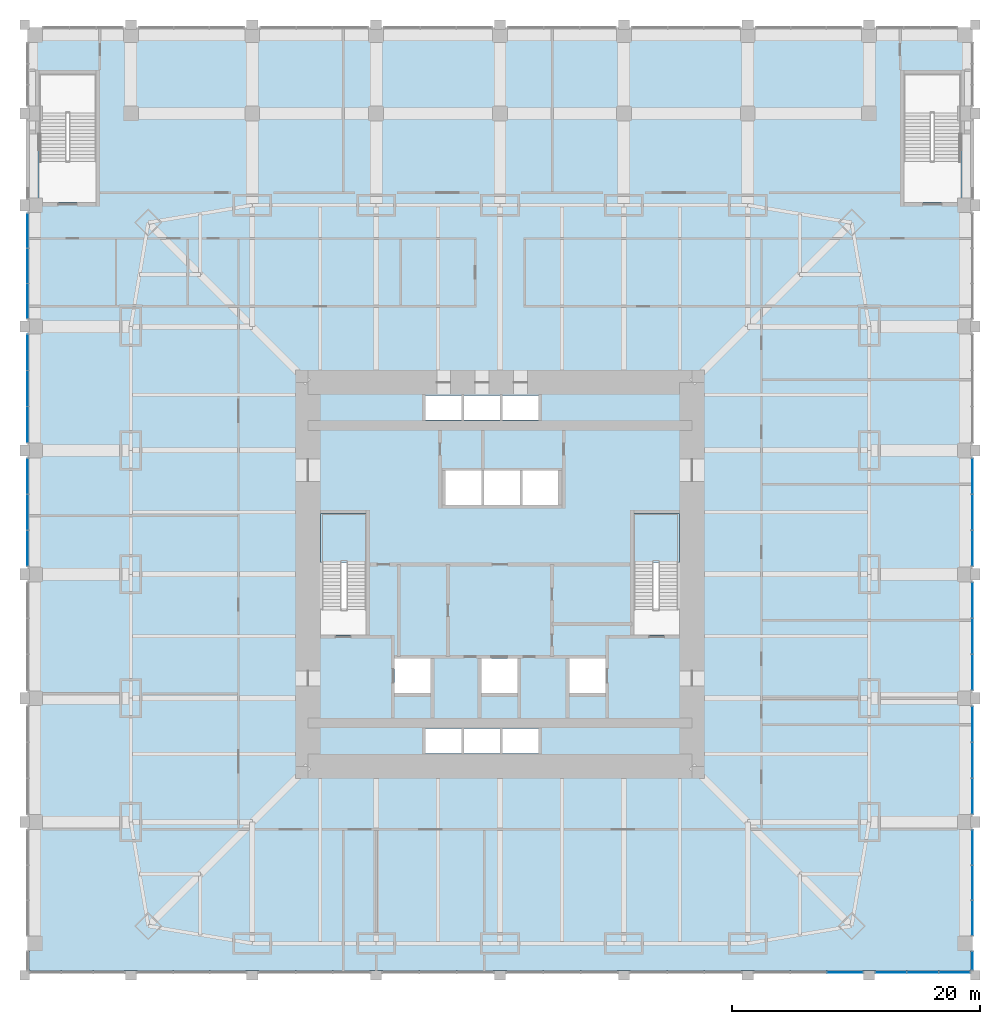
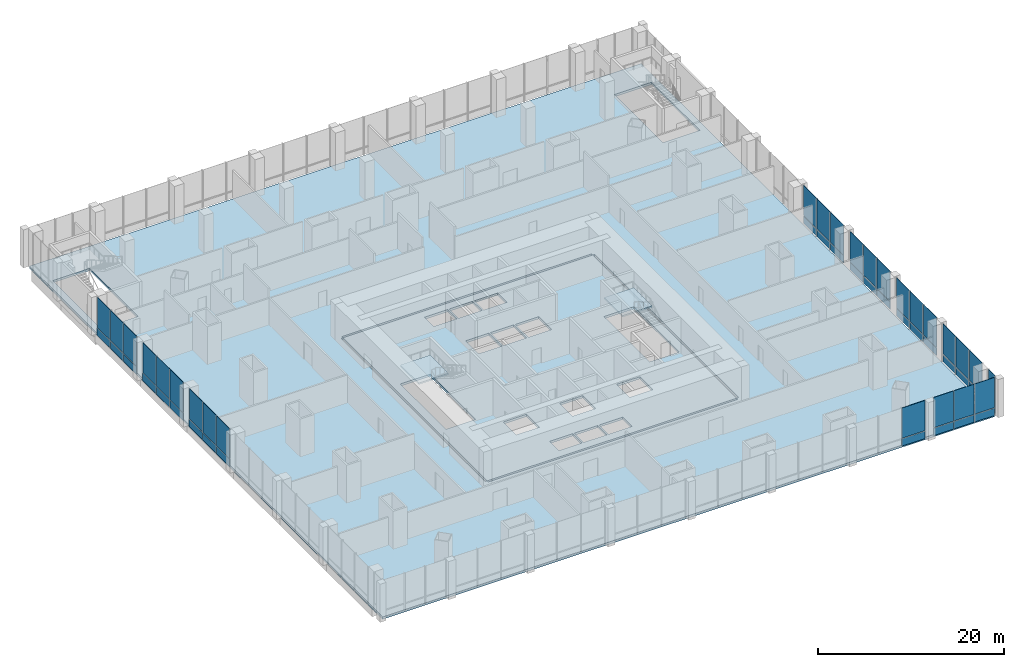
# One storey, part 14 of 24: 52 plates, 4 slabs, 12 elements without a shape of their own.
"""IFC4 building model written with IfcOpenShell, lengths in metres."""

import ifcopenshell
import ifcopenshell.guid

model = None  # the IFC model being written
_history = None  # IfcOwnerHistory: only IFC2X3 demands one
_inside = {}  # id of a spatial element -> (the spatial element, [elements in it])
_under = {}  # id of a project, library or spatial element -> (it, [spatial elements below it])
_declared = {}  # id of a project -> (the project, [libraries it declares])
_typed = {}  # id of a type object -> (the type object, [elements of that type])
_made_of = {}  # id of a material, layer set ... -> (it, [elements and type objects made of it])


def new_model(schema):
    """Start an empty IFC model of exactly this schema.

    Asked for "IFC4X3", IfcOpenShell would pick the latest addendum, in which some entities
    have other attributes; the version numbers below select the first issue.
    IFC2X3 requires an IfcOwnerHistory on every rooted entity: one is made here for all.
    """
    global model, _history
    if schema == "IFC4X3":
        model = ifcopenshell.file(schema_version=(4, 3, 0, 0))
    else:
        model = ifcopenshell.file(schema=schema)
    _inside.clear()
    _under.clear()
    _declared.clear()
    _typed.clear()
    _made_of.clear()
    _history = None
    if model.schema == "IFC2X3":
        org = make("IfcOrganization", Name="unknown")
        user = make(
            "IfcPersonAndOrganization",
            ThePerson=make("IfcPerson", FamilyName="unknown"),
            TheOrganization=org,
        )
        app = make(
            "IfcApplication",
            ApplicationDeveloper=org,
            Version="unknown",
            ApplicationFullName="unknown",
            ApplicationIdentifier="unknown",
        )
        _history = make(
            "IfcOwnerHistory",
            OwningUser=user,
            OwningApplication=app,
            ChangeAction="ADDED",
            CreationDate=0,
        )
    return model


def make(cls, **values):
    """One entity of the class cls with the attributes given. An attribute that is None is left unset."""
    return model.create_entity(
        cls, **{name: value for name, value in values.items() if value is not None}
    )


def rooted(cls, **values):
    """An entity with a GlobalId (a new one), such as an element, a storey or a relation."""
    return make(cls, GlobalId=ifcopenshell.guid.new(), OwnerHistory=_history, **values)


def si_unit(unit_type, name, prefix=None):
    """IfcSIUnit, for example si_unit("LENGTHUNIT", "METRE", prefix="MILLI")."""
    return make("IfcSIUnit", UnitType=unit_type, Prefix=prefix, Name=name)


def assignment(units):
    """IfcUnitAssignment: the units of a project."""
    return None if units is None else make("IfcUnitAssignment", Units=units)


def point(xyz):
    """IfcCartesianPoint."""
    return None if xyz is None else make("IfcCartesianPoint", Coordinates=xyz)


def direction(xyz):
    """IfcDirection."""
    return None if xyz is None else make("IfcDirection", DirectionRatios=xyz)


def frame(location, z_axis=None, x_axis=None):
    """IfcAxis2Placement3D, a coordinate frame: its origin and axes. An axis left out is left unset."""
    return make(
        "IfcAxis2Placement3D",
        Location=point(location),
        Axis=direction(z_axis),
        RefDirection=direction(x_axis),
    )


def frame_2d(location, x_axis=None):
    """IfcAxis2Placement2D, a coordinate frame in the plane: its origin and x axis."""
    return make(
        "IfcAxis2Placement2D", Location=point(location), RefDirection=direction(x_axis)
    )


def origin():
    """The frame at (0, 0, 0) with its axes left unset."""
    return frame((0.0, 0.0, 0.0))


def origin_2d():
    """The frame at (0, 0) in the plane with its x axis left unset."""
    return frame_2d((0.0, 0.0))


def place(relative_to, where):
    """IfcLocalPlacement: puts the frame where relative to a parent placement (None: the world)."""
    return make(
        "IfcLocalPlacement", PlacementRelTo=relative_to, RelativePlacement=where
    )


def context(
    kind, dimensions, precision=None, world=None, true_north=None, identifier=None
):
    """IfcGeometricRepresentationContext, for example the 3D "Model" context."""
    return make(
        "IfcGeometricRepresentationContext",
        ContextIdentifier=identifier,
        ContextType=kind,
        CoordinateSpaceDimension=dimensions,
        Precision=precision,
        WorldCoordinateSystem=world,
        TrueNorth=true_north,
    )


def subcontext(parent, identifier, kind, view, scale=None):
    """IfcGeometricRepresentationSubContext, for example "Body" below "Model"."""
    return make(
        "IfcGeometricRepresentationSubContext",
        ContextIdentifier=identifier,
        ContextType=kind,
        ParentContext=parent,
        TargetScale=scale,
        TargetView=view,
    )


def project(units=None, contexts=None):
    """IfcProject with its units and contexts."""
    return rooted(
        "IfcProject",
        Name="project",
        RepresentationContexts=contexts,
        UnitsInContext=assignment(units),
    )


def spatial(cls, under=None, at=None, **own):
    """A site, building, storey or space (cls), placed at a placement, below another one or the project."""
    s = rooted(cls, ObjectPlacement=at, **own)
    if under is not None:
        _under.setdefault(under.id(), (under, []))[1].append(s)
    return s


def polyline(points):
    """IfcPolyline through the points."""
    return make("IfcPolyline", Points=[point(p) for p in points])


def profile(cls, at=None, kind="AREA", **sizes):
    """A parametric profile (cls). Its sizes go by their IFC names, for example OverallWidth=200.0."""
    return make(cls, ProfileType=kind, Position=at, **sizes)


def rectangle(**sizes):
    """IfcRectangleProfileDef."""
    return profile("IfcRectangleProfileDef", **sizes)


def outline(outer, holes=None, kind="AREA"):
    """IfcArbitraryClosedProfileDef: a profile drawn as a closed curve; with holes, ...WithVoids."""
    if holes is None:
        return make("IfcArbitraryClosedProfileDef", ProfileType=kind, OuterCurve=outer)
    return make(
        "IfcArbitraryProfileDefWithVoids",
        ProfileType=kind,
        OuterCurve=outer,
        InnerCurves=holes,
    )


def extrude(swept, where, along, depth):
    """IfcExtrudedAreaSolid: the profile swept, set in the frame where, extruded along a direction by depth."""
    return make(
        "IfcExtrudedAreaSolid",
        SweptArea=swept,
        Position=where,
        ExtrudedDirection=direction(along),
        Depth=depth,
    )


def shape(context_of_items, identifier, shape_type, items):
    """IfcShapeRepresentation: the items that make up one representation, for example the "Body"."""
    return make(
        "IfcShapeRepresentation",
        ContextOfItems=context_of_items,
        RepresentationIdentifier=identifier,
        RepresentationType=shape_type,
        Items=items,
    )


def material(Name=None, Category=None):
    """IfcMaterial."""
    return make("IfcMaterial", Name=Name, Category=Category)


def layer(
    of_material, thickness, ventilated=None, Name=None, Category=None, Priority=None
):
    """IfcMaterialLayer: one layer of a wall or slab, of a material (None: an air gap)."""
    return make(
        "IfcMaterialLayer",
        Material=of_material,
        LayerThickness=thickness,
        IsVentilated=ventilated,
        Name=Name,
        Category=Category,
        Priority=Priority,
    )


def layer_set(layers, Name=None):
    """IfcMaterialLayerSet."""
    return make("IfcMaterialLayerSet", MaterialLayers=layers, LayerSetName=Name)


def made_of(thing, what):
    """Note that an element or type object is made of a material, layer set ...; save() writes the relation."""
    if what is not None:
        _made_of.setdefault(what.id(), (what, []))[1].append(thing)
    return thing


def type_object(cls, material=None, **own):
    """A type object (cls), such as IfcWallType, which elements share."""
    return made_of(rooted(cls, **own), material)


def element(
    cls,
    number,
    at=None,
    inside=None,
    cuts=None,
    type_object=None,
    material=None,
    context=None,
    identifier="Body",
    shape_type=None,
    held_by="IfcProductDefinitionShape",
    body=None,
    shapes=None,
    **own,
):
    """One element of the class cls, such as IfcWall. Its Tag is "e" and its number.

    at: its placement. inside: the storey or other place that contains it. cuts: it is an
    opening in that element (IfcRelVoidsElement). A single representation is given by context,
    identifier, shape_type and body (its items); several are given by shapes. held_by: the class
    of the entity that holds the representations. save() writes the other relations.
    """
    e = rooted(cls, Tag="e%d" % number, ObjectPlacement=at, **own)
    if body is not None:
        shapes = [shape(context, identifier, shape_type, body)]
    if shapes is not None:
        e.Representation = make(held_by, Representations=shapes)
    if inside is not None:
        _inside.setdefault(inside.id(), (inside, []))[1].append(e)
    if cuts is not None:
        rooted(
            "IfcRelVoidsElement", RelatingBuildingElement=cuts, RelatedOpeningElement=e
        )
    if type_object is not None:
        _typed.setdefault(type_object.id(), (type_object, []))[1].append(e)
    return made_of(e, material)


def aggregate(whole, parts):
    """IfcRelAggregates: a whole, such as a stair, and the parts it consists of."""
    return rooted("IfcRelAggregates", RelatingObject=whole, RelatedObjects=parts)


def save(model, path):
    """Write the relations noted so far, then the file.

    IfcRelAggregates (storeys below a building ...), IfcRelContainedInSpatialStructure (elements
    in a storey), IfcRelDefinesByType, IfcRelAssociatesMaterial and IfcRelDeclares: one each for
    every whole, place, type object, material and project.
    """
    for whole, parts in _under.values():
        aggregate(whole, parts)
    for where, things in _inside.values():
        rooted(
            "IfcRelContainedInSpatialStructure",
            RelatedElements=things,
            RelatingStructure=where,
        )
    for kind, things in _typed.values():
        rooted("IfcRelDefinesByType", RelatedObjects=things, RelatingType=kind)
    for what, things in _made_of.values():
        rooted("IfcRelAssociatesMaterial", RelatedObjects=things, RelatingMaterial=what)
    for by, libraries in _declared.values():
        rooted("IfcRelDeclares", RelatingContext=by, RelatedDefinitions=libraries)
    model.write(path)


model = new_model("IFC4")

# Units and contexts
model_context = context("Model", 3, precision=1e-05, world=origin(), true_north=direction((0.0, 1.0)))
body_context = subcontext(model_context, "Body", "Model", "MODEL_VIEW")
ifc_project = project(units=[si_unit("LENGTHUNIT", "METRE"), si_unit("AREAUNIT", "SQUARE_METRE"), si_unit("VOLUMEUNIT", "CUBIC_METRE"), si_unit("PLANEANGLEUNIT", "RADIAN"), si_unit("MASSUNIT", "GRAM", prefix="KILO")], contexts=[model_context])

# Site, building, storey
site_placement = place(None, origin())
site = spatial("IfcSite", under=ifc_project, at=site_placement, CompositionType="ELEMENT")
building_placement = place(site_placement, origin())
building = spatial("IfcBuilding", under=site, at=building_placement, Name="Khuree Lantern Residences", CompositionType="ELEMENT")
storey_placement = place(building_placement, frame((0.0, 0.0, 6.0)))
storey = spatial("IfcBuildingStorey", under=building, at=storey_placement, Name="L01", CompositionType="ELEMENT", Elevation=6.0)

# Slabs
ifc_material_1 = material(Name="Concrete C35/45", Category="concrete")
ifc_layer_1 = layer(ifc_material_1, 0.300048828125)
ifc_layer_set_1 = layer_set([ifc_layer_1], Name="CFL300 CORE FLOOR SLAB 300")
slab_type_1 = type_object("IfcSlabType", Name="CFL300 CORE FLOOR SLAB 300", PredefinedType="FLOOR", material=ifc_layer_set_1)
slab_1_placement = place(storey_placement, frame((0.0, 0.0, -0.300048828125)))
element("IfcSlab", 1, at=slab_1_placement, inside=storey, type_object=slab_type_1, Name="Core floor L01", PredefinedType="FLOOR", context=body_context, shape_type="SweptSolid", body=[
    extrude(outline(polyline([(-15.5, -15.5), (-15.5, 15.5), (15.5, 15.5), (15.5, -15.5), (-15.5, -15.5)]), holes=[polyline([(14.5, 4.89990234375), (10.800048828125, 4.89990234375), (10.800048828125, -4.89990234375), (14.5, -4.89990234375), (14.5, 4.89990234375)]), polyline([(8.5, -6.800048828125), (5.60009765625, -6.800048828125), (5.60009765625, -9.60009765625), (8.5, -9.60009765625), (8.5, -6.800048828125)]), polyline([(4.699951171875, 8.39990234375), (1.800048828125, 8.39990234375), (1.800048828125, 5.60009765625), (4.699951171875, 5.60009765625), (4.699951171875, 8.39990234375)]), polyline([(3.10009765625, -12.449951171875), (0.199951171875, -12.449951171875), (0.199951171875, -14.449951171875), (3.10009765625, -14.449951171875), (3.10009765625, -12.449951171875)]), polyline([(3.10009765625, 14.449951171875), (0.199951171875, 14.449951171875), (0.199951171875, 12.449951171875), (3.10009765625, 12.449951171875), (3.10009765625, 14.449951171875)]), polyline([(1.60009765625, 8.39990234375), (-1.300048828125, 8.39990234375), (-1.300048828125, 5.60009765625), (1.60009765625, 5.60009765625), (1.60009765625, 8.39990234375)]), polyline([(1.39990234375, -6.800048828125), (-1.5, -6.800048828125), (-1.5, -9.60009765625), (1.39990234375, -9.60009765625), (1.39990234375, -6.800048828125)]), polyline([(0.0, -12.449951171875), (-2.89990234375, -12.449951171875), (-2.89990234375, -14.449951171875), (0.0, -14.449951171875), (0.0, -12.449951171875)]), polyline([(0.0, 14.449951171875), (-2.89990234375, 14.449951171875), (-2.89990234375, 12.449951171875), (0.0, 12.449951171875), (0.0, 14.449951171875)]), polyline([(-1.5, 8.39990234375), (-4.39990234375, 8.39990234375), (-4.39990234375, 5.60009765625), (-1.5, 5.60009765625), (-1.5, 8.39990234375)]), polyline([(-3.10009765625, -12.449951171875), (-6.0, -12.449951171875), (-6.0, -14.449951171875), (-3.10009765625, -14.449951171875), (-3.10009765625, -12.449951171875)]), polyline([(-3.10009765625, 14.449951171875), (-6.0, 14.449951171875), (-6.0, 12.449951171875), (-3.10009765625, 12.449951171875), (-3.10009765625, 14.449951171875)]), polyline([(-5.60009765625, -6.800048828125), (-8.5, -6.800048828125), (-8.5, -9.60009765625), (-5.60009765625, -9.60009765625), (-5.60009765625, -6.800048828125)]), polyline([(-10.800048828125, 4.89990234375), (-14.5, 4.89990234375), (-14.5, -4.89990234375), (-10.800048828125, -4.89990234375), (-10.800048828125, 4.89990234375)])]), origin(), (0.0, 0.0, 1.0), 0.300048828125),
])
ifc_layer_2 = layer(ifc_material_1, 0.300048828125)
ifc_layer_set_2 = layer_set([ifc_layer_2], Name="FS300 FLOOR SLAB 300")
slab_type_2 = type_object("IfcSlabType", Name="FS300 FLOOR SLAB 300", PredefinedType="FLOOR", material=ifc_layer_set_2)
slab_2_placement = place(storey_placement, frame((0.0, 0.0, -0.300048828125)))
element("IfcSlab", 2, at=slab_2_placement, inside=storey, type_object=slab_type_2, Name="Floor slab L01", PredefinedType="FLOOR", context=body_context, shape_type="SweptSolid", body=[
    extrude(outline(polyline([(-38.0, 44.0), (38.0, 44.0), (38.0, -32.0), (-38.0, -32.0), (-38.0, 44.0)]), holes=[polyline([(37.199951171875, 40.39990234375), (32.60009765625, 40.39990234375), (32.60009765625, 30.0), (37.199951171875, 30.0), (37.199951171875, 40.39990234375)]), polyline([(15.75, 15.5), (15.5, 15.5), (15.5, 15.75), (-15.5, 15.75), (-15.5, 15.5), (-15.75, 15.5), (-15.75, -15.5), (-15.5, -15.5), (-15.5, -15.75), (15.5, -15.75), (15.5, -15.5), (15.75, -15.5), (15.75, 15.5)]), polyline([(-32.60009765625, 40.39990234375), (-37.199951171875, 40.39990234375), (-37.199951171875, 30.0), (-32.60009765625, 30.0), (-32.60009765625, 40.39990234375)])]), origin(), (0.0, 0.0, 1.0), 0.300048828125),
])

# Stair, slab
ifc_material_2 = material(Name="Concrete C40/50", Category="concrete")
stair_type = type_object("IfcStairType", Name="STAIR ST1 HALF TURN 3600", PredefinedType="HALF_TURN_STAIR", material=ifc_material_2)
stair_1_placement = place(storey_placement, origin())
stair_1 = element("IfcStair", 3, at=stair_1_placement, inside=storey, type_object=stair_type, Name="Stair ST1", PredefinedType="HALF_TURN_STAIR")
ifc_layer_3 = layer(ifc_material_2, 0.199951171875)
ifc_layer_set_3 = layer_set([ifc_layer_3], Name="STAIR LANDING SL1 200")
slab_type_3 = type_object("IfcSlabType", Name="STAIR LANDING SL1 200", PredefinedType="LANDING", material=ifc_layer_set_3)
slab_3_placement = place(storey_placement, frame((0.0, 0.0, 2.300048828125)))
slab_3 = element("IfcSlab", 4, at=slab_3_placement, type_object=slab_type_3, Name="ST1 landing 2", PredefinedType="LANDING", context=body_context, shape_type="SweptSolid", body=[
    extrude(outline(polyline([(-14.5, 0.9599609375), (-14.5, 4.89990234375), (-10.800048828125, 4.89990234375), (-10.800048828125, 0.9599609375), (-14.5, 0.9599609375)])), origin(), (0.0, 0.0, 1.0), 0.199951171875),
])
aggregate(stair_1, [slab_3])

stair_2_placement = place(storey_placement, origin())
stair_2 = element("IfcStair", 5, at=stair_2_placement, inside=storey, type_object=stair_type, Name="Stair ST2", PredefinedType="HALF_TURN_STAIR")
slab_4_placement = place(storey_placement, frame((0.0, 0.0, 2.300048828125)))
slab_4 = element("IfcSlab", 6, at=slab_4_placement, type_object=slab_type_3, Name="ST2 landing 2", PredefinedType="LANDING", context=body_context, shape_type="SweptSolid", body=[
    extrude(outline(polyline([(14.5, 4.89990234375), (14.5, 0.9599609375), (10.800048828125, 0.9599609375), (10.800048828125, 4.89990234375), (14.5, 4.89990234375)])), origin(), (0.0, 0.0, 1.0), 0.199951171875),
])
aggregate(stair_2, [slab_4])

# Curtain wall, plate
ifc_material_3 = material(Name="Bronze anodised aluminium", Category="aluminium")
curtain_wall_type = type_object("IfcCurtainWallType", Name="CW-P PODIUM STOREFRONT CURTAIN WALL", PredefinedType="USERDEFINED", material=ifc_material_3)
curtain_wall_1_placement = place(storey_placement, origin())
curtain_wall_1 = element("IfcCurtainWall", 7, at=curtain_wall_1_placement, inside=storey, type_object=curtain_wall_type, Name="L01 SOUTH FACE BAY 7 STOREFRONT", ObjectType="Storefront curtain wall", PredefinedType="USERDEFINED")
ifc_material_4 = material(Name="Bronze tinted laminated triple glazing", Category="glass")
ifc_layer_4 = layer(ifc_material_4, 0.0400390625)
ifc_layer_set_4 = layer_set([ifc_layer_4], Name="STOREFRONT GLASS PANEL P9")
plate_type_1 = type_object("IfcPlateType", Name="STOREFRONT GLASS PANEL P9", PredefinedType="CURTAIN_PANEL", material=ifc_layer_set_4)
plate_1_placement = place(storey_placement, frame((27.841552734375, -32.14990234375, 1.03759765625), z_axis=(0.0, 0.0, 1.0), x_axis=(1.0, 0.0, 0.0)))
plate_1 = element("IfcPlate", 8, at=plate_1_placement, type_object=plate_type_1, Name="L01 SOUTH FACE BAY 7 PANEL 3.2", PredefinedType="CURTAIN_PANEL", context=body_context, shape_type="SweptSolid", body=[
    extrude(rectangle(XDim=2.86669921875, YDim=0.0400390625, at=origin_2d()), origin(), (0.0, 0.0, 1.0), 3.96240234375),
])

# Curtain wall, plates
curtain_wall_2_placement = place(storey_placement, origin())
curtain_wall_2 = element("IfcCurtainWall", 9, at=curtain_wall_2_placement, inside=storey, type_object=curtain_wall_type, Name="L01 SOUTH FACE BAY 8 STOREFRONT", ObjectType="Storefront curtain wall", PredefinedType="USERDEFINED")
plate_2_placement = place(storey_placement, frame((31.566650390625, -32.14990234375, 1.03759765625), z_axis=(0.0, 0.0, 1.0), x_axis=(1.0, 0.0, 0.0)))
plate_2 = element("IfcPlate", 10, at=plate_2_placement, type_object=plate_type_1, Name="L01 SOUTH FACE BAY 8 PANEL 1.2", PredefinedType="CURTAIN_PANEL", context=body_context, shape_type="SweptSolid", body=[
    extrude(rectangle(XDim=2.4833984375, YDim=0.0400390625, at=origin_2d()), origin(), (0.0, 0.0, 1.0), 3.96240234375),
])
plate_3_placement = place(storey_placement, frame((34.125, -32.14990234375, 1.03759765625), z_axis=(0.0, 0.0, 1.0), x_axis=(1.0, 0.0, 0.0)))
plate_3 = element("IfcPlate", 11, at=plate_3_placement, type_object=plate_type_1, Name="L01 SOUTH FACE BAY 8 PANEL 2.2", PredefinedType="CURTAIN_PANEL", context=body_context, shape_type="SweptSolid", body=[
    extrude(rectangle(XDim=2.4833984375, YDim=0.0400390625, at=origin_2d()), origin(), (0.0, 0.0, 1.0), 3.96240234375),
])
plate_4_placement = place(storey_placement, frame((36.683349609375, -32.14990234375, 1.03759765625), z_axis=(0.0, 0.0, 1.0), x_axis=(1.0, 0.0, 0.0)))
plate_4 = element("IfcPlate", 12, at=plate_4_placement, type_object=plate_type_1, Name="L01 SOUTH FACE BAY 8 PANEL 3.2", PredefinedType="CURTAIN_PANEL", context=body_context, shape_type="SweptSolid", body=[
    extrude(rectangle(XDim=2.4833984375, YDim=0.0400390625, at=origin_2d()), origin(), (0.0, 0.0, 1.0), 3.96240234375),
])

# Curtain wall, plate
curtain_wall_3_placement = place(storey_placement, origin())
curtain_wall_3 = element("IfcCurtainWall", 13, at=curtain_wall_3_placement, inside=storey, type_object=curtain_wall_type, Name="L01 EAST FACE BAY 1 STOREFRONT", ObjectType="Storefront curtain wall", PredefinedType="USERDEFINED")
plate_5_placement = place(storey_placement, frame((38.14990234375, -31.199951171875, 1.03759765625), z_axis=(0.0, 0.0, 1.0), x_axis=(0.0, 1.0, 0.0)))
plate_5 = element("IfcPlate", 14, at=plate_5_placement, type_object=plate_type_1, Name="L01 EAST FACE BAY 1 PANEL 1.2", PredefinedType="CURTAIN_PANEL", context=body_context, shape_type="SweptSolid", body=[
    extrude(rectangle(XDim=1.449951171875, YDim=0.0400390625, at=origin_2d()), origin(), (0.0, 0.0, 1.0), 3.96240234375),
])

# Curtain wall, plates
curtain_wall_4_placement = place(storey_placement, origin())
curtain_wall_4 = element("IfcCurtainWall", 15, at=curtain_wall_4_placement, inside=storey, type_object=curtain_wall_type, Name="L01 EAST FACE BAY 1B STOREFRONT", ObjectType="Storefront curtain wall", PredefinedType="USERDEFINED")
plate_6_placement = place(storey_placement, frame((38.14990234375, -27.74169921875, 1.03759765625), z_axis=(0.0, 0.0, 1.0), x_axis=(0.0, 1.0, 0.0)))
plate_6 = element("IfcPlate", 16, at=plate_6_placement, type_object=plate_type_1, Name="L01 EAST FACE BAY 1B PANEL 1.2", PredefinedType="CURTAIN_PANEL", context=body_context, shape_type="SweptSolid", body=[
    extrude(rectangle(XDim=2.7666015625, YDim=0.0400390625, at=origin_2d()), origin(), (0.0, 0.0, 1.0), 3.96240234375),
])
plate_7_placement = place(storey_placement, frame((38.14990234375, -24.89990234375, 1.03759765625), z_axis=(0.0, 0.0, 1.0), x_axis=(0.0, 1.0, 0.0)))
plate_7 = element("IfcPlate", 17, at=plate_7_placement, type_object=plate_type_1, Name="L01 EAST FACE BAY 1B PANEL 2.2", PredefinedType="CURTAIN_PANEL", context=body_context, shape_type="SweptSolid", body=[
    extrude(rectangle(XDim=2.7666015625, YDim=0.0400390625, at=origin_2d()), origin(), (0.0, 0.0, 1.0), 3.96240234375),
])
plate_8_placement = place(storey_placement, frame((38.14990234375, -22.058349609375, 1.03759765625), z_axis=(0.0, 0.0, 1.0), x_axis=(0.0, 1.0, 0.0)))
plate_8 = element("IfcPlate", 18, at=plate_8_placement, type_object=plate_type_1, Name="L01 EAST FACE BAY 1B PANEL 3.2", PredefinedType="CURTAIN_PANEL", context=body_context, shape_type="SweptSolid", body=[
    extrude(rectangle(XDim=2.7666015625, YDim=0.0400390625, at=origin_2d()), origin(), (0.0, 0.0, 1.0), 3.96240234375),
])

curtain_wall_5_placement = place(storey_placement, origin())
curtain_wall_5 = element("IfcCurtainWall", 19, at=curtain_wall_5_placement, inside=storey, type_object=curtain_wall_type, Name="L01 EAST FACE BAY 2 STOREFRONT", ObjectType="Storefront curtain wall", PredefinedType="USERDEFINED")
plate_9_placement = place(storey_placement, frame((38.14990234375, -17.908447265625, 1.03759765625), z_axis=(0.0, 0.0, 1.0), x_axis=(0.0, 1.0, 0.0)))
plate_9 = element("IfcPlate", 20, at=plate_9_placement, type_object=plate_type_1, Name="L01 EAST FACE BAY 2 PANEL 1.2", PredefinedType="CURTAIN_PANEL", context=body_context, shape_type="SweptSolid", body=[
    extrude(rectangle(XDim=2.833251953125, YDim=0.0400390625, at=origin_2d()), origin(), (0.0, 0.0, 1.0), 3.96240234375),
])
plate_10_placement = place(storey_placement, frame((38.14990234375, -15.0, 1.03759765625), z_axis=(0.0, 0.0, 1.0), x_axis=(0.0, 1.0, 0.0)))
plate_10 = element("IfcPlate", 21, at=plate_10_placement, type_object=plate_type_1, Name="L01 EAST FACE BAY 2 PANEL 2.2", PredefinedType="CURTAIN_PANEL", context=body_context, shape_type="SweptSolid", body=[
    extrude(rectangle(XDim=2.833251953125, YDim=0.0400390625, at=origin_2d()), origin(), (0.0, 0.0, 1.0), 3.96240234375),
])
plate_11_placement = place(storey_placement, frame((38.14990234375, -12.091552734375, 1.03759765625), z_axis=(0.0, 0.0, 1.0), x_axis=(0.0, 1.0, 0.0)))
plate_11 = element("IfcPlate", 22, at=plate_11_placement, type_object=plate_type_1, Name="L01 EAST FACE BAY 2 PANEL 3.2", PredefinedType="CURTAIN_PANEL", context=body_context, shape_type="SweptSolid", body=[
    extrude(rectangle(XDim=2.833251953125, YDim=0.0400390625, at=origin_2d()), origin(), (0.0, 0.0, 1.0), 3.96240234375),
])

curtain_wall_6_placement = place(storey_placement, origin())
curtain_wall_6 = element("IfcCurtainWall", 23, at=curtain_wall_6_placement, inside=storey, type_object=curtain_wall_type, Name="L01 EAST FACE BAY 3 STOREFRONT", ObjectType="Storefront curtain wall", PredefinedType="USERDEFINED")
plate_12_placement = place(storey_placement, frame((38.14990234375, -7.908447265625, 1.03759765625), z_axis=(0.0, 0.0, 1.0), x_axis=(0.0, 1.0, 0.0)))
plate_12 = element("IfcPlate", 24, at=plate_12_placement, type_object=plate_type_1, Name="L01 EAST FACE BAY 3 PANEL 1.2", PredefinedType="CURTAIN_PANEL", context=body_context, shape_type="SweptSolid", body=[
    extrude(rectangle(XDim=2.833251953125, YDim=0.0400390625, at=origin_2d()), origin(), (0.0, 0.0, 1.0), 3.96240234375),
])
plate_13_placement = place(storey_placement, frame((38.14990234375, -5.0, 1.03759765625), z_axis=(0.0, 0.0, 1.0), x_axis=(0.0, 1.0, 0.0)))
plate_13 = element("IfcPlate", 25, at=plate_13_placement, type_object=plate_type_1, Name="L01 EAST FACE BAY 3 PANEL 2.2", PredefinedType="CURTAIN_PANEL", context=body_context, shape_type="SweptSolid", body=[
    extrude(rectangle(XDim=2.833251953125, YDim=0.0400390625, at=origin_2d()), origin(), (0.0, 0.0, 1.0), 3.96240234375),
])
plate_14_placement = place(storey_placement, frame((38.14990234375, -2.091552734375, 1.03759765625), z_axis=(0.0, 0.0, 1.0), x_axis=(0.0, 1.0, 0.0)))
plate_14 = element("IfcPlate", 26, at=plate_14_placement, type_object=plate_type_1, Name="L01 EAST FACE BAY 3 PANEL 3.2", PredefinedType="CURTAIN_PANEL", context=body_context, shape_type="SweptSolid", body=[
    extrude(rectangle(XDim=2.833251953125, YDim=0.0400390625, at=origin_2d()), origin(), (0.0, 0.0, 1.0), 3.96240234375),
])

curtain_wall_7_placement = place(storey_placement, origin())
curtain_wall_7 = element("IfcCurtainWall", 27, at=curtain_wall_7_placement, inside=storey, type_object=curtain_wall_type, Name="L01 EAST FACE BAY 4 STOREFRONT", ObjectType="Storefront curtain wall", PredefinedType="USERDEFINED")
plate_15_placement = place(storey_placement, frame((38.14990234375, 2.091552734375, 1.03759765625), z_axis=(0.0, 0.0, 1.0), x_axis=(0.0, 1.0, 0.0)))
plate_15 = element("IfcPlate", 28, at=plate_15_placement, type_object=plate_type_1, Name="L01 EAST FACE BAY 4 PANEL 1.2", PredefinedType="CURTAIN_PANEL", context=body_context, shape_type="SweptSolid", body=[
    extrude(rectangle(XDim=2.833251953125, YDim=0.0400390625, at=origin_2d()), origin(), (0.0, 0.0, 1.0), 3.96240234375),
])
plate_16_placement = place(storey_placement, frame((38.14990234375, 5.0, 1.03759765625), z_axis=(0.0, 0.0, 1.0), x_axis=(0.0, 1.0, 0.0)))
plate_16 = element("IfcPlate", 29, at=plate_16_placement, type_object=plate_type_1, Name="L01 EAST FACE BAY 4 PANEL 2.2", PredefinedType="CURTAIN_PANEL", context=body_context, shape_type="SweptSolid", body=[
    extrude(rectangle(XDim=2.833251953125, YDim=0.0400390625, at=origin_2d()), origin(), (0.0, 0.0, 1.0), 3.96240234375),
])
plate_17_placement = place(storey_placement, frame((38.14990234375, 7.908447265625, 1.03759765625), z_axis=(0.0, 0.0, 1.0), x_axis=(0.0, 1.0, 0.0)))
plate_17 = element("IfcPlate", 30, at=plate_17_placement, type_object=plate_type_1, Name="L01 EAST FACE BAY 4 PANEL 3.2", PredefinedType="CURTAIN_PANEL", context=body_context, shape_type="SweptSolid", body=[
    extrude(rectangle(XDim=2.833251953125, YDim=0.0400390625, at=origin_2d()), origin(), (0.0, 0.0, 1.0), 3.96240234375),
])

curtain_wall_8_placement = place(storey_placement, origin())
curtain_wall_8 = element("IfcCurtainWall", 31, at=curtain_wall_8_placement, inside=storey, type_object=curtain_wall_type, Name="L01 WEST FACE BAY 3 STOREFRONT", ObjectType="Storefront curtain wall", PredefinedType="USERDEFINED")
plate_18_placement = place(storey_placement, frame((-38.14990234375, 27.74169921875, 1.03759765625), z_axis=(0.0, 0.0, 1.0), x_axis=(0.0, -1.0, 0.0)))
plate_18 = element("IfcPlate", 32, at=plate_18_placement, type_object=plate_type_1, Name="L01 WEST FACE BAY 3 PANEL 1.2", PredefinedType="CURTAIN_PANEL", context=body_context, shape_type="SweptSolid", body=[
    extrude(rectangle(XDim=2.7666015625, YDim=0.0400390625, at=origin_2d()), origin(), (0.0, 0.0, 1.0), 3.96240234375),
])
plate_19_placement = place(storey_placement, frame((-38.14990234375, 24.89990234375, 1.03759765625), z_axis=(0.0, 0.0, 1.0), x_axis=(0.0, -1.0, 0.0)))
plate_19 = element("IfcPlate", 33, at=plate_19_placement, type_object=plate_type_1, Name="L01 WEST FACE BAY 3 PANEL 2.2", PredefinedType="CURTAIN_PANEL", context=body_context, shape_type="SweptSolid", body=[
    extrude(rectangle(XDim=2.7666015625, YDim=0.0400390625, at=origin_2d()), origin(), (0.0, 0.0, 1.0), 3.96240234375),
])
plate_20_placement = place(storey_placement, frame((-38.14990234375, 22.058349609375, 1.03759765625), z_axis=(0.0, 0.0, 1.0), x_axis=(0.0, -1.0, 0.0)))
plate_20 = element("IfcPlate", 34, at=plate_20_placement, type_object=plate_type_1, Name="L01 WEST FACE BAY 3 PANEL 3.2", PredefinedType="CURTAIN_PANEL", context=body_context, shape_type="SweptSolid", body=[
    extrude(rectangle(XDim=2.7666015625, YDim=0.0400390625, at=origin_2d()), origin(), (0.0, 0.0, 1.0), 3.96240234375),
])

curtain_wall_9_placement = place(storey_placement, origin())
curtain_wall_9 = element("IfcCurtainWall", 35, at=curtain_wall_9_placement, inside=storey, type_object=curtain_wall_type, Name="L01 WEST FACE BAY 4 STOREFRONT", ObjectType="Storefront curtain wall", PredefinedType="USERDEFINED")
plate_21_placement = place(storey_placement, frame((-38.14990234375, 17.908447265625, 1.03759765625), z_axis=(0.0, 0.0, 1.0), x_axis=(0.0, -1.0, 0.0)))
plate_21 = element("IfcPlate", 36, at=plate_21_placement, type_object=plate_type_1, Name="L01 WEST FACE BAY 4 PANEL 1.2", PredefinedType="CURTAIN_PANEL", context=body_context, shape_type="SweptSolid", body=[
    extrude(rectangle(XDim=2.833251953125, YDim=0.0400390625, at=origin_2d()), origin(), (0.0, 0.0, 1.0), 3.96240234375),
])
plate_22_placement = place(storey_placement, frame((-38.14990234375, 15.0, 1.03759765625), z_axis=(0.0, 0.0, 1.0), x_axis=(0.0, -1.0, 0.0)))
plate_22 = element("IfcPlate", 37, at=plate_22_placement, type_object=plate_type_1, Name="L01 WEST FACE BAY 4 PANEL 2.2", PredefinedType="CURTAIN_PANEL", context=body_context, shape_type="SweptSolid", body=[
    extrude(rectangle(XDim=2.833251953125, YDim=0.0400390625, at=origin_2d()), origin(), (0.0, 0.0, 1.0), 3.96240234375),
])
plate_23_placement = place(storey_placement, frame((-38.14990234375, 12.091552734375, 1.03759765625), z_axis=(0.0, 0.0, 1.0), x_axis=(0.0, -1.0, 0.0)))
plate_23 = element("IfcPlate", 38, at=plate_23_placement, type_object=plate_type_1, Name="L01 WEST FACE BAY 4 PANEL 3.2", PredefinedType="CURTAIN_PANEL", context=body_context, shape_type="SweptSolid", body=[
    extrude(rectangle(XDim=2.833251953125, YDim=0.0400390625, at=origin_2d()), origin(), (0.0, 0.0, 1.0), 3.96240234375),
])

curtain_wall_10_placement = place(storey_placement, origin())
curtain_wall_10 = element("IfcCurtainWall", 39, at=curtain_wall_10_placement, inside=storey, type_object=curtain_wall_type, Name="L01 WEST FACE BAY 5 STOREFRONT", ObjectType="Storefront curtain wall", PredefinedType="USERDEFINED")
plate_24_placement = place(storey_placement, frame((-38.14990234375, 7.908447265625, 1.03759765625), z_axis=(0.0, 0.0, 1.0), x_axis=(0.0, -1.0, 0.0)))
plate_24 = element("IfcPlate", 40, at=plate_24_placement, type_object=plate_type_1, Name="L01 WEST FACE BAY 5 PANEL 1.2", PredefinedType="CURTAIN_PANEL", context=body_context, shape_type="SweptSolid", body=[
    extrude(rectangle(XDim=2.833251953125, YDim=0.0400390625, at=origin_2d()), origin(), (0.0, 0.0, 1.0), 3.96240234375),
])
plate_25_placement = place(storey_placement, frame((-38.14990234375, 5.0, 1.03759765625), z_axis=(0.0, 0.0, 1.0), x_axis=(0.0, -1.0, 0.0)))
plate_25 = element("IfcPlate", 41, at=plate_25_placement, type_object=plate_type_1, Name="L01 WEST FACE BAY 5 PANEL 2.2", PredefinedType="CURTAIN_PANEL", context=body_context, shape_type="SweptSolid", body=[
    extrude(rectangle(XDim=2.833251953125, YDim=0.0400390625, at=origin_2d()), origin(), (0.0, 0.0, 1.0), 3.96240234375),
])
plate_26_placement = place(storey_placement, frame((-38.14990234375, 2.091552734375, 1.03759765625), z_axis=(0.0, 0.0, 1.0), x_axis=(0.0, -1.0, 0.0)))
plate_26 = element("IfcPlate", 42, at=plate_26_placement, type_object=plate_type_1, Name="L01 WEST FACE BAY 5 PANEL 3.2", PredefinedType="CURTAIN_PANEL", context=body_context, shape_type="SweptSolid", body=[
    extrude(rectangle(XDim=2.833251953125, YDim=0.0400390625, at=origin_2d()), origin(), (0.0, 0.0, 1.0), 3.96240234375),
])

# Plate
ifc_material_5 = material(Name="Bronze anodised aluminium insulated spandrel", Category="aluminium")
ifc_layer_5 = layer(ifc_material_5, 0.06005859375)
ifc_layer_set_5 = layer_set([ifc_layer_5], Name="STOREFRONT SPANDREL PANEL P10")
plate_type_2 = type_object("IfcPlateType", Name="STOREFRONT SPANDREL PANEL P10", PredefinedType="CURTAIN_PANEL", material=ifc_layer_set_5)
plate_27_placement = place(storey_placement, frame((27.841552734375, -32.14990234375, 0.0), z_axis=(0.0, 0.0, 1.0), x_axis=(1.0, 0.0, 0.0)))
plate_27 = element("IfcPlate", 43, at=plate_27_placement, type_object=plate_type_2, Name="L01 SOUTH FACE BAY 7 PANEL 3.1", PredefinedType="CURTAIN_PANEL", context=body_context, shape_type="SweptSolid", body=[
    extrude(rectangle(XDim=2.86669921875, YDim=0.06005859375, at=origin_2d()), origin(), (0.0, 0.0, 1.0), 0.96240234375),
])

aggregate(curtain_wall_1, [plate_27, plate_1])

plate_28_placement = place(storey_placement, frame((31.566650390625, -32.14990234375, 0.0), z_axis=(0.0, 0.0, 1.0), x_axis=(1.0, 0.0, 0.0)))
plate_28 = element("IfcPlate", 44, at=plate_28_placement, type_object=plate_type_2, Name="L01 SOUTH FACE BAY 8 PANEL 1.1", PredefinedType="CURTAIN_PANEL", context=body_context, shape_type="SweptSolid", body=[
    extrude(rectangle(XDim=2.4833984375, YDim=0.06005859375, at=origin_2d()), origin(), (0.0, 0.0, 1.0), 0.96240234375),
])

plate_29_placement = place(storey_placement, frame((34.125, -32.14990234375, 0.0), z_axis=(0.0, 0.0, 1.0), x_axis=(1.0, 0.0, 0.0)))
plate_29 = element("IfcPlate", 45, at=plate_29_placement, type_object=plate_type_2, Name="L01 SOUTH FACE BAY 8 PANEL 2.1", PredefinedType="CURTAIN_PANEL", context=body_context, shape_type="SweptSolid", body=[
    extrude(rectangle(XDim=2.4833984375, YDim=0.06005859375, at=origin_2d()), origin(), (0.0, 0.0, 1.0), 0.96240234375),
])

plate_30_placement = place(storey_placement, frame((36.683349609375, -32.14990234375, 0.0), z_axis=(0.0, 0.0, 1.0), x_axis=(1.0, 0.0, 0.0)))
plate_30 = element("IfcPlate", 46, at=plate_30_placement, type_object=plate_type_2, Name="L01 SOUTH FACE BAY 8 PANEL 3.1", PredefinedType="CURTAIN_PANEL", context=body_context, shape_type="SweptSolid", body=[
    extrude(rectangle(XDim=2.4833984375, YDim=0.06005859375, at=origin_2d()), origin(), (0.0, 0.0, 1.0), 0.96240234375),
])

aggregate(curtain_wall_2, [plate_28, plate_2, plate_29, plate_3, plate_30, plate_4])

plate_31_placement = place(storey_placement, frame((38.14990234375, -31.199951171875, 0.0), z_axis=(0.0, 0.0, 1.0), x_axis=(0.0, 1.0, 0.0)))
plate_31 = element("IfcPlate", 47, at=plate_31_placement, type_object=plate_type_2, Name="L01 EAST FACE BAY 1 PANEL 1.1", PredefinedType="CURTAIN_PANEL", context=body_context, shape_type="SweptSolid", body=[
    extrude(rectangle(XDim=1.449951171875, YDim=0.06005859375, at=origin_2d()), origin(), (0.0, 0.0, 1.0), 0.96240234375),
])

aggregate(curtain_wall_3, [plate_31, plate_5])

plate_32_placement = place(storey_placement, frame((38.14990234375, -27.74169921875, 0.0), z_axis=(0.0, 0.0, 1.0), x_axis=(0.0, 1.0, 0.0)))
plate_32 = element("IfcPlate", 48, at=plate_32_placement, type_object=plate_type_2, Name="L01 EAST FACE BAY 1B PANEL 1.1", PredefinedType="CURTAIN_PANEL", context=body_context, shape_type="SweptSolid", body=[
    extrude(rectangle(XDim=2.7666015625, YDim=0.06005859375, at=origin_2d()), origin(), (0.0, 0.0, 1.0), 0.96240234375),
])

plate_33_placement = place(storey_placement, frame((38.14990234375, -24.89990234375, 0.0), z_axis=(0.0, 0.0, 1.0), x_axis=(0.0, 1.0, 0.0)))
plate_33 = element("IfcPlate", 49, at=plate_33_placement, type_object=plate_type_2, Name="L01 EAST FACE BAY 1B PANEL 2.1", PredefinedType="CURTAIN_PANEL", context=body_context, shape_type="SweptSolid", body=[
    extrude(rectangle(XDim=2.7666015625, YDim=0.06005859375, at=origin_2d()), origin(), (0.0, 0.0, 1.0), 0.96240234375),
])

plate_34_placement = place(storey_placement, frame((38.14990234375, -22.058349609375, 0.0), z_axis=(0.0, 0.0, 1.0), x_axis=(0.0, 1.0, 0.0)))
plate_34 = element("IfcPlate", 50, at=plate_34_placement, type_object=plate_type_2, Name="L01 EAST FACE BAY 1B PANEL 3.1", PredefinedType="CURTAIN_PANEL", context=body_context, shape_type="SweptSolid", body=[
    extrude(rectangle(XDim=2.7666015625, YDim=0.06005859375, at=origin_2d()), origin(), (0.0, 0.0, 1.0), 0.96240234375),
])

aggregate(curtain_wall_4, [plate_32, plate_6, plate_33, plate_7, plate_34, plate_8])

plate_35_placement = place(storey_placement, frame((38.14990234375, -17.908447265625, 0.0), z_axis=(0.0, 0.0, 1.0), x_axis=(0.0, 1.0, 0.0)))
plate_35 = element("IfcPlate", 51, at=plate_35_placement, type_object=plate_type_2, Name="L01 EAST FACE BAY 2 PANEL 1.1", PredefinedType="CURTAIN_PANEL", context=body_context, shape_type="SweptSolid", body=[
    extrude(rectangle(XDim=2.833251953125, YDim=0.06005859375, at=origin_2d()), origin(), (0.0, 0.0, 1.0), 0.96240234375),
])

plate_36_placement = place(storey_placement, frame((38.14990234375, -15.0, 0.0), z_axis=(0.0, 0.0, 1.0), x_axis=(0.0, 1.0, 0.0)))
plate_36 = element("IfcPlate", 52, at=plate_36_placement, type_object=plate_type_2, Name="L01 EAST FACE BAY 2 PANEL 2.1", PredefinedType="CURTAIN_PANEL", context=body_context, shape_type="SweptSolid", body=[
    extrude(rectangle(XDim=2.833251953125, YDim=0.06005859375, at=origin_2d()), origin(), (0.0, 0.0, 1.0), 0.96240234375),
])

plate_37_placement = place(storey_placement, frame((38.14990234375, -12.091552734375, 0.0), z_axis=(0.0, 0.0, 1.0), x_axis=(0.0, 1.0, 0.0)))
plate_37 = element("IfcPlate", 53, at=plate_37_placement, type_object=plate_type_2, Name="L01 EAST FACE BAY 2 PANEL 3.1", PredefinedType="CURTAIN_PANEL", context=body_context, shape_type="SweptSolid", body=[
    extrude(rectangle(XDim=2.833251953125, YDim=0.06005859375, at=origin_2d()), origin(), (0.0, 0.0, 1.0), 0.96240234375),
])

aggregate(curtain_wall_5, [plate_35, plate_9, plate_36, plate_10, plate_37, plate_11])

plate_38_placement = place(storey_placement, frame((38.14990234375, -7.908447265625, 0.0), z_axis=(0.0, 0.0, 1.0), x_axis=(0.0, 1.0, 0.0)))
plate_38 = element("IfcPlate", 54, at=plate_38_placement, type_object=plate_type_2, Name="L01 EAST FACE BAY 3 PANEL 1.1", PredefinedType="CURTAIN_PANEL", context=body_context, shape_type="SweptSolid", body=[
    extrude(rectangle(XDim=2.833251953125, YDim=0.06005859375, at=origin_2d()), origin(), (0.0, 0.0, 1.0), 0.96240234375),
])

plate_39_placement = place(storey_placement, frame((38.14990234375, -5.0, 0.0), z_axis=(0.0, 0.0, 1.0), x_axis=(0.0, 1.0, 0.0)))
plate_39 = element("IfcPlate", 55, at=plate_39_placement, type_object=plate_type_2, Name="L01 EAST FACE BAY 3 PANEL 2.1", PredefinedType="CURTAIN_PANEL", context=body_context, shape_type="SweptSolid", body=[
    extrude(rectangle(XDim=2.833251953125, YDim=0.06005859375, at=origin_2d()), origin(), (0.0, 0.0, 1.0), 0.96240234375),
])

plate_40_placement = place(storey_placement, frame((38.14990234375, -2.091552734375, 0.0), z_axis=(0.0, 0.0, 1.0), x_axis=(0.0, 1.0, 0.0)))
plate_40 = element("IfcPlate", 56, at=plate_40_placement, type_object=plate_type_2, Name="L01 EAST FACE BAY 3 PANEL 3.1", PredefinedType="CURTAIN_PANEL", context=body_context, shape_type="SweptSolid", body=[
    extrude(rectangle(XDim=2.833251953125, YDim=0.06005859375, at=origin_2d()), origin(), (0.0, 0.0, 1.0), 0.96240234375),
])

aggregate(curtain_wall_6, [plate_38, plate_12, plate_39, plate_13, plate_40, plate_14])

plate_41_placement = place(storey_placement, frame((38.14990234375, 2.091552734375, 0.0), z_axis=(0.0, 0.0, 1.0), x_axis=(0.0, 1.0, 0.0)))
plate_41 = element("IfcPlate", 57, at=plate_41_placement, type_object=plate_type_2, Name="L01 EAST FACE BAY 4 PANEL 1.1", PredefinedType="CURTAIN_PANEL", context=body_context, shape_type="SweptSolid", body=[
    extrude(rectangle(XDim=2.833251953125, YDim=0.06005859375, at=origin_2d()), origin(), (0.0, 0.0, 1.0), 0.96240234375),
])

plate_42_placement = place(storey_placement, frame((38.14990234375, 5.0, 0.0), z_axis=(0.0, 0.0, 1.0), x_axis=(0.0, 1.0, 0.0)))
plate_42 = element("IfcPlate", 58, at=plate_42_placement, type_object=plate_type_2, Name="L01 EAST FACE BAY 4 PANEL 2.1", PredefinedType="CURTAIN_PANEL", context=body_context, shape_type="SweptSolid", body=[
    extrude(rectangle(XDim=2.833251953125, YDim=0.06005859375, at=origin_2d()), origin(), (0.0, 0.0, 1.0), 0.96240234375),
])

plate_43_placement = place(storey_placement, frame((38.14990234375, 7.908447265625, 0.0), z_axis=(0.0, 0.0, 1.0), x_axis=(0.0, 1.0, 0.0)))
plate_43 = element("IfcPlate", 59, at=plate_43_placement, type_object=plate_type_2, Name="L01 EAST FACE BAY 4 PANEL 3.1", PredefinedType="CURTAIN_PANEL", context=body_context, shape_type="SweptSolid", body=[
    extrude(rectangle(XDim=2.833251953125, YDim=0.06005859375, at=origin_2d()), origin(), (0.0, 0.0, 1.0), 0.96240234375),
])

aggregate(curtain_wall_7, [plate_41, plate_15, plate_42, plate_16, plate_43, plate_17])

plate_44_placement = place(storey_placement, frame((-38.14990234375, 27.74169921875, 0.0), z_axis=(0.0, 0.0, 1.0), x_axis=(0.0, -1.0, 0.0)))
plate_44 = element("IfcPlate", 60, at=plate_44_placement, type_object=plate_type_2, Name="L01 WEST FACE BAY 3 PANEL 1.1", PredefinedType="CURTAIN_PANEL", context=body_context, shape_type="SweptSolid", body=[
    extrude(rectangle(XDim=2.7666015625, YDim=0.06005859375, at=origin_2d()), origin(), (0.0, 0.0, 1.0), 0.96240234375),
])

plate_45_placement = place(storey_placement, frame((-38.14990234375, 24.89990234375, 0.0), z_axis=(0.0, 0.0, 1.0), x_axis=(0.0, -1.0, 0.0)))
plate_45 = element("IfcPlate", 61, at=plate_45_placement, type_object=plate_type_2, Name="L01 WEST FACE BAY 3 PANEL 2.1", PredefinedType="CURTAIN_PANEL", context=body_context, shape_type="SweptSolid", body=[
    extrude(rectangle(XDim=2.7666015625, YDim=0.06005859375, at=origin_2d()), origin(), (0.0, 0.0, 1.0), 0.96240234375),
])

plate_46_placement = place(storey_placement, frame((-38.14990234375, 22.058349609375, 0.0), z_axis=(0.0, 0.0, 1.0), x_axis=(0.0, -1.0, 0.0)))
plate_46 = element("IfcPlate", 62, at=plate_46_placement, type_object=plate_type_2, Name="L01 WEST FACE BAY 3 PANEL 3.1", PredefinedType="CURTAIN_PANEL", context=body_context, shape_type="SweptSolid", body=[
    extrude(rectangle(XDim=2.7666015625, YDim=0.06005859375, at=origin_2d()), origin(), (0.0, 0.0, 1.0), 0.96240234375),
])

aggregate(curtain_wall_8, [plate_44, plate_18, plate_45, plate_19, plate_46, plate_20])

plate_47_placement = place(storey_placement, frame((-38.14990234375, 17.908447265625, 0.0), z_axis=(0.0, 0.0, 1.0), x_axis=(0.0, -1.0, 0.0)))
plate_47 = element("IfcPlate", 63, at=plate_47_placement, type_object=plate_type_2, Name="L01 WEST FACE BAY 4 PANEL 1.1", PredefinedType="CURTAIN_PANEL", context=body_context, shape_type="SweptSolid", body=[
    extrude(rectangle(XDim=2.833251953125, YDim=0.06005859375, at=origin_2d()), origin(), (0.0, 0.0, 1.0), 0.96240234375),
])

plate_48_placement = place(storey_placement, frame((-38.14990234375, 15.0, 0.0), z_axis=(0.0, 0.0, 1.0), x_axis=(0.0, -1.0, 0.0)))
plate_48 = element("IfcPlate", 64, at=plate_48_placement, type_object=plate_type_2, Name="L01 WEST FACE BAY 4 PANEL 2.1", PredefinedType="CURTAIN_PANEL", context=body_context, shape_type="SweptSolid", body=[
    extrude(rectangle(XDim=2.833251953125, YDim=0.06005859375, at=origin_2d()), origin(), (0.0, 0.0, 1.0), 0.96240234375),
])

plate_49_placement = place(storey_placement, frame((-38.14990234375, 12.091552734375, 0.0), z_axis=(0.0, 0.0, 1.0), x_axis=(0.0, -1.0, 0.0)))
plate_49 = element("IfcPlate", 65, at=plate_49_placement, type_object=plate_type_2, Name="L01 WEST FACE BAY 4 PANEL 3.1", PredefinedType="CURTAIN_PANEL", context=body_context, shape_type="SweptSolid", body=[
    extrude(rectangle(XDim=2.833251953125, YDim=0.06005859375, at=origin_2d()), origin(), (0.0, 0.0, 1.0), 0.96240234375),
])

aggregate(curtain_wall_9, [plate_47, plate_21, plate_48, plate_22, plate_49, plate_23])

plate_50_placement = place(storey_placement, frame((-38.14990234375, 7.908447265625, 0.0), z_axis=(0.0, 0.0, 1.0), x_axis=(0.0, -1.0, 0.0)))
plate_50 = element("IfcPlate", 66, at=plate_50_placement, type_object=plate_type_2, Name="L01 WEST FACE BAY 5 PANEL 1.1", PredefinedType="CURTAIN_PANEL", context=body_context, shape_type="SweptSolid", body=[
    extrude(rectangle(XDim=2.833251953125, YDim=0.06005859375, at=origin_2d()), origin(), (0.0, 0.0, 1.0), 0.96240234375),
])

plate_51_placement = place(storey_placement, frame((-38.14990234375, 5.0, 0.0), z_axis=(0.0, 0.0, 1.0), x_axis=(0.0, -1.0, 0.0)))
plate_51 = element("IfcPlate", 67, at=plate_51_placement, type_object=plate_type_2, Name="L01 WEST FACE BAY 5 PANEL 2.1", PredefinedType="CURTAIN_PANEL", context=body_context, shape_type="SweptSolid", body=[
    extrude(rectangle(XDim=2.833251953125, YDim=0.06005859375, at=origin_2d()), origin(), (0.0, 0.0, 1.0), 0.96240234375),
])

plate_52_placement = place(storey_placement, frame((-38.14990234375, 2.091552734375, 0.0), z_axis=(0.0, 0.0, 1.0), x_axis=(0.0, -1.0, 0.0)))
plate_52 = element("IfcPlate", 68, at=plate_52_placement, type_object=plate_type_2, Name="L01 WEST FACE BAY 5 PANEL 3.1", PredefinedType="CURTAIN_PANEL", context=body_context, shape_type="SweptSolid", body=[
    extrude(rectangle(XDim=2.833251953125, YDim=0.06005859375, at=origin_2d()), origin(), (0.0, 0.0, 1.0), 0.96240234375),
])

aggregate(curtain_wall_10, [plate_50, plate_24, plate_51, plate_25, plate_52, plate_26])

save(model, "model.ifc")
